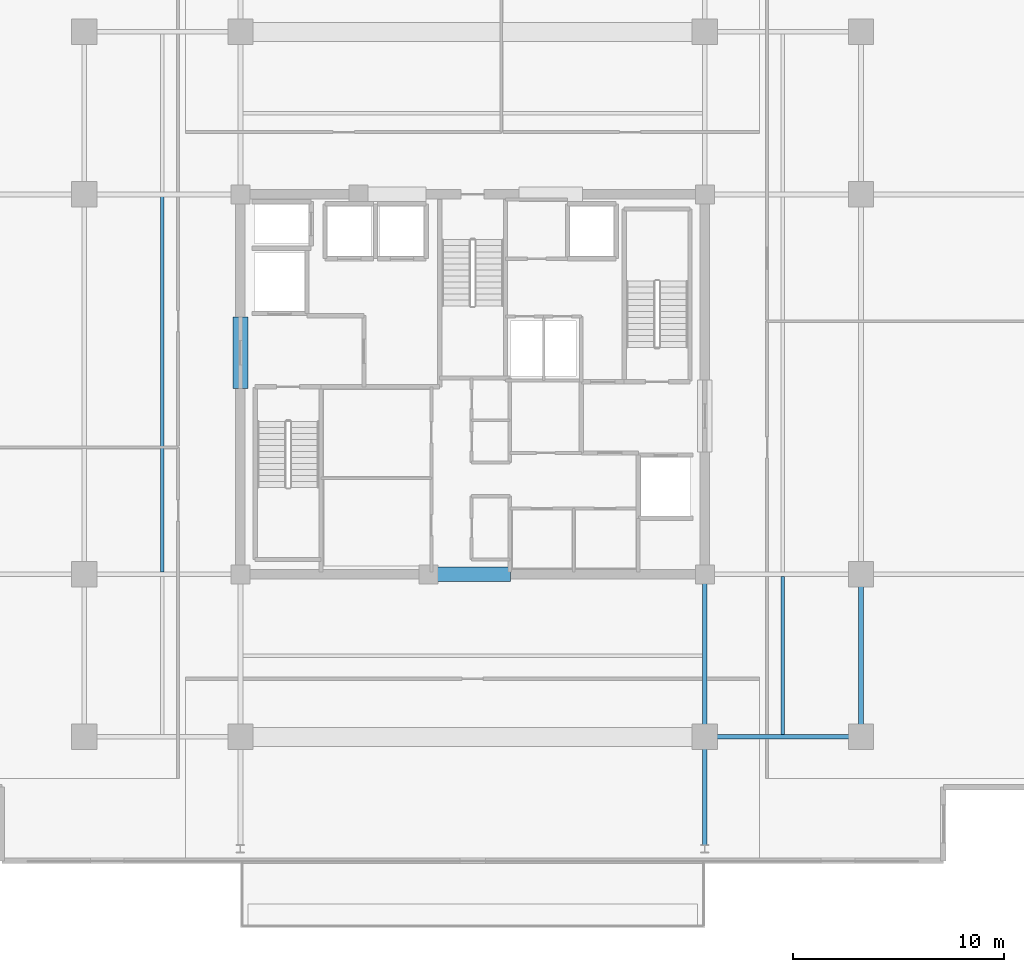
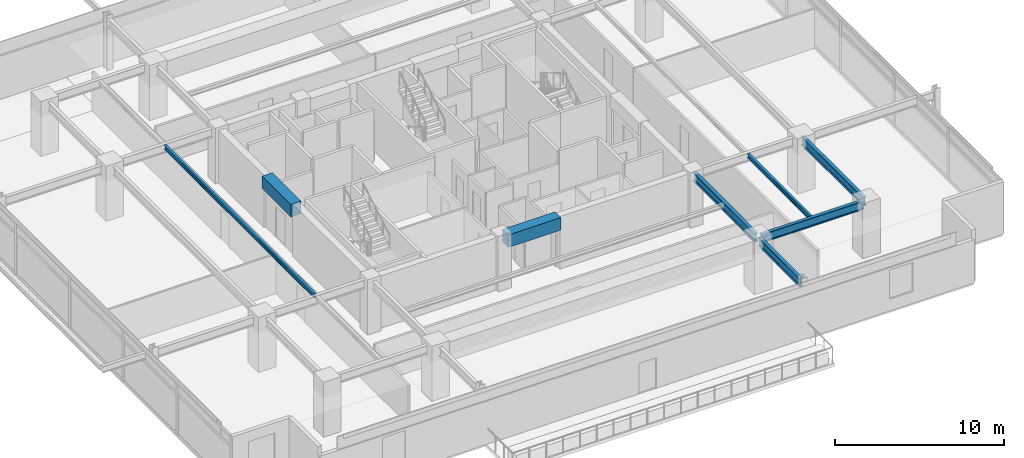
# One storey, part 6 of 23: 8 beams.
"""IFC4 building model written with IfcOpenShell, lengths in metres."""

from ifc_helpers import new_model, si_unit, direction, frame, origin, origin_2d, place, context, subcontext, project, spatial, rectangle, i_section, extrude, material, material_profile, profile_set, type_object, element, save


model = new_model("IFC4")

# Units and contexts
model_context = context("Model", 3, precision=1e-05, world=origin(), true_north=direction((0.0, 1.0)))
body_context = subcontext(model_context, "Body", "Model", "MODEL_VIEW")
ifc_project = project(units=[si_unit("LENGTHUNIT", "METRE"), si_unit("AREAUNIT", "SQUARE_METRE"), si_unit("VOLUMEUNIT", "CUBIC_METRE"), si_unit("PLANEANGLEUNIT", "RADIAN"), si_unit("MASSUNIT", "GRAM", prefix="KILO")], contexts=[model_context])

# Site, building, storey
site_placement = place(None, origin())
site = spatial("IfcSite", under=ifc_project, at=site_placement, CompositionType="ELEMENT")
building_placement = place(site_placement, origin())
building = spatial("IfcBuilding", under=site, at=building_placement, Name="Kovane Verandah Tower", CompositionType="ELEMENT")
storey_placement = place(building_placement, frame((0.0, 0.0, 243.199951171875)))
storey = spatial("IfcBuildingStorey", under=building, at=storey_placement, Name="L56", CompositionType="ELEMENT", Elevation=243.199951171875)

# Beams
ifc_material_1 = material(Name="Concrete C60/75", Category="concrete")
ifc_material_profile_1 = material_profile(ifc_material_1, rectangle(XDim=0.699951171875, YDim=0.89990234375, at=origin_2d()), Name="RCB700x900")
ifc_profile_set_1 = profile_set([ifc_material_profile_1], Name="Concrete C60/75")
beam_type_1 = type_object("IfcBeamType", Name="BM-LINTEL-700x900", PredefinedType="LINTEL", material=ifc_profile_set_1)
beam_1_placement = place(storey_placement, frame((38.199951171875, 18.5, 3.3349609375), z_axis=(1.0, 0.0, 0.0), x_axis=(0.0, 1.0, 0.0)))
element("IfcBeam", 1, at=beam_1_placement, inside=storey, type_object=beam_type_1, Name="L56 Core Coupling Lintel CL-S", PredefinedType="LINTEL", context=body_context, shape_type="SweptSolid", body=[
    extrude(rectangle(XDim=0.699951171875, YDim=0.89990234375, at=origin_2d()), origin(), (0.0, 0.0, 1.0), 3.60009765625),
])
beam_2_placement = place(storey_placement, frame((29.0, 27.300048828125, 3.3349609375), z_axis=(0.0, 1.0, 0.0), x_axis=(-1.0, 0.0, 0.0)))
element("IfcBeam", 2, at=beam_2_placement, inside=storey, type_object=beam_type_1, Name="L56 Core Coupling Lintel CL-W", PredefinedType="LINTEL", context=body_context, shape_type="SweptSolid", body=[
    extrude(rectangle(XDim=0.699951171875, YDim=0.89990234375, at=origin_2d()), origin(), (0.0, 0.0, 1.0), 3.39990234375),
])
ifc_material_2 = material(Name="Steel S355", Category="steel")
ifc_material_profile_2 = material_profile(ifc_material_2, i_section(OverallWidth=0.230224609375, OverallDepth=0.6171875, WebThickness=0.01318359375, FlangeThickness=0.022216796875, FilletRadius=0.0126953125, at=origin_2d()), Name="UB610x229x140")
ifc_profile_set_2 = profile_set([ifc_material_profile_2], Name="Steel S355")
beam_type_2 = type_object("IfcBeamType", Name="BM-UB610x140", PredefinedType="BEAM", material=ifc_profile_set_2)
beam_3_placement = place(storey_placement, frame((51.179931640625, 10.800048828125, 3.4765625), z_axis=(1.0, 0.0, 0.0), x_axis=(0.0, 1.0, 0.0)))
element("IfcBeam", 3, at=beam_3_placement, inside=storey, type_object=beam_type_2, Name="L56 Primary Tower Girder G-RS3", PredefinedType="BEAM", context=body_context, shape_type="SweptSolid", body=[
    extrude(i_section(OverallWidth=0.230224609375, OverallDepth=0.6171875, WebThickness=0.01318359375, FlangeThickness=0.022216796875, FilletRadius=0.0126953125, at=origin_2d()), origin(), (0.0, 0.0, 1.0), 7.0400390625),
])
for number, where, z_axis, x_axis, name in (
    (4, (58.39990234375, 10.97998046875, 3.4765625), (0.0, 1.0, 0.0), (-1.0, 0.0, 0.0), "L56 Primary Tower Girder G-RE1"),
    (5, (51.0, 18.320068359375, 3.4765625), (0.0, -1.0, 0.0), (1.0, 0.0, 0.0), "L56 Primary Tower Girder G-S2"),
):
    element("IfcBeam", number, at=place(storey_placement, frame(where, z_axis=z_axis, x_axis=x_axis)), inside=storey, type_object=beam_type_2, Name=name, PredefinedType="BEAM", context=body_context, shape_type="SweptSolid", body=[
        extrude(i_section(OverallWidth=0.230224609375, OverallDepth=0.6171875, WebThickness=0.01318359375, FlangeThickness=0.022216796875, FilletRadius=0.0126953125, at=origin_2d()), origin(), (0.0, 0.0, 1.0), 7.340087890625),
    ])
beam_4_placement = place(storey_placement, frame((51.0, 10.6201171875, 3.451416015625), z_axis=(0.0, -1.0, 0.0), x_axis=(1.0, 0.0, 0.0)))
element("IfcBeam", 6, at=beam_4_placement, inside=storey, type_object=beam_type_2, Name="L56 Primary Tower Girder G-VS2", PredefinedType="BEAM", context=body_context, shape_type="SweptSolid", body=[
    extrude(i_section(OverallWidth=0.230224609375, OverallDepth=0.6171875, WebThickness=0.01318359375, FlangeThickness=0.022216796875, FilletRadius=0.0126953125, at=origin_2d()), origin(), (0.0, 0.0, 1.0), 4.940185546875),
])
ifc_material_profile_3 = material_profile(ifc_material_2, i_section(OverallWidth=0.1669921875, OverallDepth=0.310302734375, WebThickness=0.0078125, FlangeThickness=0.013671875, FilletRadius=0.0087890625, at=origin_2d()), Name="UB305x165x54")
ifc_profile_set_3 = profile_set([ifc_material_profile_3], Name="Steel S355")
beam_type_3 = type_object("IfcBeamType", Name="JST-UB305x54", PredefinedType="JOIST", material=ifc_profile_set_3)
beam_5_placement = place(storey_placement, frame((25.300048828125, 18.613037109375, 3.6298828125), z_axis=(0.0, 1.0, 0.0), x_axis=(-1.0, 0.0, 0.0)))
element("IfcBeam", 7, at=beam_5_placement, inside=storey, type_object=beam_type_3, Name="L56 Secondary Composite Joist J-W1", PredefinedType="JOIST", context=body_context, shape_type="SweptSolid", body=[
    extrude(i_section(OverallWidth=0.1669921875, OverallDepth=0.310302734375, WebThickness=0.0078125, FlangeThickness=0.013671875, FilletRadius=0.0087890625, at=origin_2d()), origin(), (0.0, 0.0, 1.0), 17.77392578125),
])
beam_6_placement = place(storey_placement, frame((54.699951171875, 10.9130859375, 3.6298828125), z_axis=(0.0, 1.0, 0.0), x_axis=(-1.0, 0.0, 0.0)))
element("IfcBeam", 8, at=beam_6_placement, inside=storey, type_object=beam_type_3, Name="L56 Secondary Composite Joist J-SE1", PredefinedType="JOIST", context=body_context, shape_type="SweptSolid", body=[
    extrude(i_section(OverallWidth=0.1669921875, OverallDepth=0.310302734375, WebThickness=0.0078125, FlangeThickness=0.013671875, FilletRadius=0.0087890625, at=origin_2d()), origin(), (0.0, 0.0, 1.0), 7.473876953125),
])

save(model, "model.ifc")
